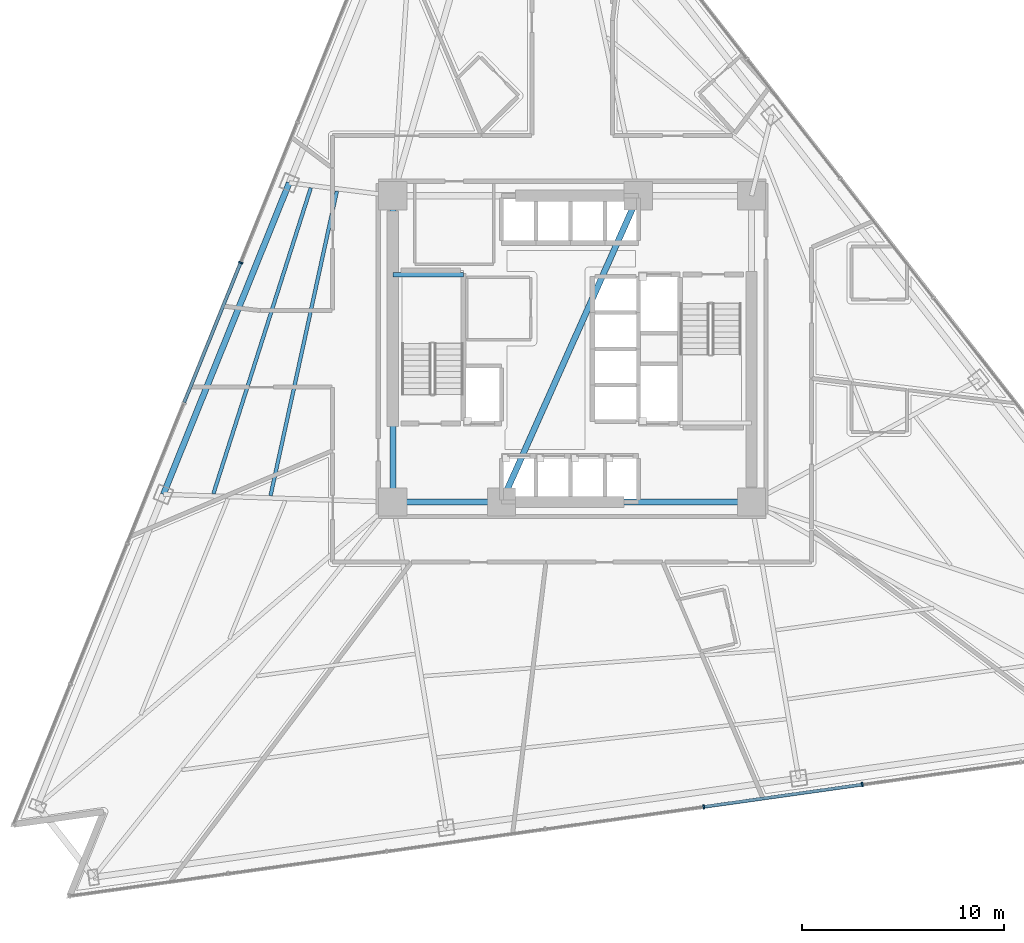
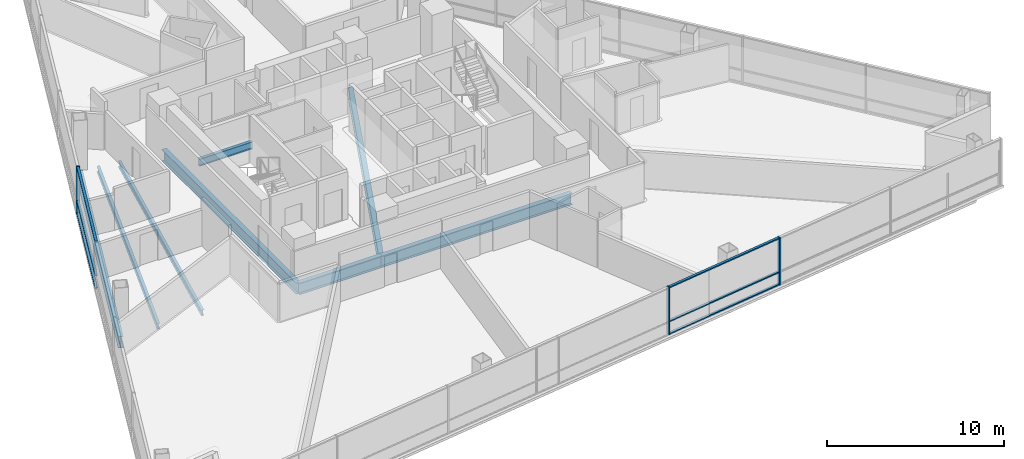
# One storey, part 3 of 15: 9 members, 8 beams, 2 elements without a shape of their own.
"""IFC4 building model written with IfcOpenShell, lengths in metres."""

from ifc_helpers import new_model, si_unit, direction, frame, origin, origin_2d, place, context, subcontext, project, spatial, rectangle, i_section, extrude, material, layer, layer_set, material_profile, profile_set, type_object, element, aggregate, save


model = new_model("IFC4")

# Units and contexts
model_context = context("Model", 3, precision=1e-05, world=origin(), true_north=direction((0.0, 1.0)))
body_context = subcontext(model_context, "Body", "Model", "MODEL_VIEW")
ifc_project = project(units=[si_unit("LENGTHUNIT", "METRE"), si_unit("AREAUNIT", "SQUARE_METRE"), si_unit("VOLUMEUNIT", "CUBIC_METRE"), si_unit("PLANEANGLEUNIT", "RADIAN"), si_unit("MASSUNIT", "GRAM", prefix="KILO")], contexts=[model_context])

# Site, building, storey
site_placement = place(None, origin())
site = spatial("IfcSite", under=ifc_project, at=site_placement, CompositionType="ELEMENT")
building_placement = place(site_placement, origin())
building = spatial("IfcBuilding", under=site, at=building_placement, Name="Tharavind Bronze Gate", CompositionType="ELEMENT")
storey_placement = place(building_placement, frame((0.0, 0.0, 74.199951171875)))
storey = spatial("IfcBuildingStorey", under=building, at=storey_placement, Name="L18", CompositionType="ELEMENT", Elevation=74.199951171875)

# Curtain wall, member
ifc_material_1 = material(Name="Anodised Bronze Aluminium", Category="aluminium")
ifc_layer = layer(ifc_material_1, 0.219970703125)
ifc_layer_set = layer_set([ifc_layer], Name="Anodised Bronze Aluminium")
curtain_wall_type = type_object("IfcCurtainWallType", Name="UNITISED CURTAIN WALL HOTEL", PredefinedType="USERDEFINED", material=ifc_layer_set)
curtain_wall_1_placement = place(storey_placement, origin())
curtain_wall_1 = element("IfcCurtainWall", 1, at=curtain_wall_1_placement, inside=storey, type_object=curtain_wall_type, Name="L18 unitised curtain wall hotel CW-L18-S1", ObjectType="UNITISED CURTAIN WALL", PredefinedType="USERDEFINED")
member_type_1 = type_object("IfcMemberType", Name="CURTAIN WALL MULLION 80X220", PredefinedType="MULLION", material=ifc_material_1)
member_1_placement = place(storey_placement, frame((-16.4462890625, 4.279541015625, 0.0), z_axis=(0.0, 0.0, 1.0), x_axis=(-0.374606593416, -0.927183854567, 0.0)))
member_1 = element("IfcMember", 2, at=member_1_placement, type_object=member_type_1, Name="CW-L18-S1 mullion 4", PredefinedType="MULLION", context=body_context, shape_type="SweptSolid", body=[
    extrude(rectangle(XDim=0.080078125, YDim=0.219970703125, at=origin_2d()), origin(), (0.0, 0.0, 1.0), 3.27490234375),
])

# Curtain wall, members
curtain_wall_2_placement = place(storey_placement, origin())
curtain_wall_2 = element("IfcCurtainWall", 3, at=curtain_wall_2_placement, inside=storey, type_object=curtain_wall_type, Name="L18 unitised curtain wall hotel CW-L18-S2", ObjectType="UNITISED CURTAIN WALL", PredefinedType="USERDEFINED")
member_2_placement = place(storey_placement, frame((6.52880859375, -22.7158203125, 0.0), z_axis=(0.0, 0.0, 1.0), x_axis=(0.990268068742, 0.13917310096, 0.0)))
member_2 = element("IfcMember", 4, at=member_2_placement, type_object=member_type_1, Name="CW-L18-S2 mullion 5", PredefinedType="MULLION", context=body_context, shape_type="SweptSolid", body=[
    extrude(rectangle(XDim=0.080078125, YDim=0.219970703125, at=origin_2d()), origin(), (0.0, 0.0, 1.0), 3.27490234375),
])
member_3_placement = place(storey_placement, frame((14.39501953125, -21.610107421875, 0.0), z_axis=(0.0, 0.0, 1.0), x_axis=(0.990268068742, 0.13917310096, 0.0)))
member_3 = element("IfcMember", 5, at=member_3_placement, type_object=member_type_1, Name="CW-L18-S2 mullion 6", PredefinedType="MULLION", context=body_context, shape_type="SweptSolid", body=[
    extrude(rectangle(XDim=0.080078125, YDim=0.219970703125, at=origin_2d()), origin(), (0.0, 0.0, 1.0), 3.27490234375),
])

# Member
member_type_2 = type_object("IfcMemberType", Name="CURTAIN WALL TRANSOM 80X160", PredefinedType="USERDEFINED", material=ifc_material_1)
member_4_placement = place(storey_placement, frame((-17.85400390625, 0.795654296875, 0.0), z_axis=(0.0, 0.0, 1.0), x_axis=(-0.374606593416, -0.927183854567, 0.0)))
member_4 = element("IfcMember", 6, at=member_4_placement, type_object=member_type_2, Name="CW-L18-S1 transom TB4", ObjectType="TRANSOM", PredefinedType="USERDEFINED", context=body_context, shape_type="SweptSolid", body=[
    extrude(rectangle(XDim=7.447021484375, YDim=0.159912109375, at=origin_2d()), origin(), (0.0, 0.0, 1.0), 0.080078125),
])

member_5_placement = place(storey_placement, frame((-17.85400390625, 0.795654296875, 0.860107421875), z_axis=(0.0, 0.0, 1.0), x_axis=(-0.374606593416, -0.927183854567, 0.0)))
member_5 = element("IfcMember", 7, at=member_5_placement, type_object=member_type_2, Name="CW-L18-S1 transom TS4", ObjectType="TRANSOM", PredefinedType="USERDEFINED", context=body_context, shape_type="SweptSolid", body=[
    extrude(rectangle(XDim=7.447021484375, YDim=0.159912109375, at=origin_2d()), origin(), (0.0, 0.0, 1.0), 0.080078125),
])

member_6_placement = place(storey_placement, frame((-17.85400390625, 0.795654296875, 3.195068359375), z_axis=(0.0, 0.0, 1.0), x_axis=(-0.374606593416, -0.927183854567, 0.0)))
member_6 = element("IfcMember", 8, at=member_6_placement, type_object=member_type_2, Name="CW-L18-S1 transom TT4", ObjectType="TRANSOM", PredefinedType="USERDEFINED", context=body_context, shape_type="SweptSolid", body=[
    extrude(rectangle(XDim=7.447021484375, YDim=0.159912109375, at=origin_2d()), origin(), (0.0, 0.0, 1.0), 0.080078125),
])

aggregate(curtain_wall_1, [member_1, member_4, member_5, member_6])

member_7_placement = place(storey_placement, frame((10.4619140625, -22.1630859375, 0.0), z_axis=(0.0, 0.0, 1.0), x_axis=(0.990268068742, 0.13917310096, 0.0)))
member_7 = element("IfcMember", 9, at=member_7_placement, type_object=member_type_2, Name="CW-L18-S2 transom TB5", ObjectType="TRANSOM", PredefinedType="USERDEFINED", context=body_context, shape_type="SweptSolid", body=[
    extrude(rectangle(XDim=7.87548828125, YDim=0.159912109375, at=origin_2d()), origin(), (0.0, 0.0, 1.0), 0.080078125),
])

member_8_placement = place(storey_placement, frame((10.4619140625, -22.1630859375, 0.860107421875), z_axis=(0.0, 0.0, 1.0), x_axis=(0.990268068742, 0.13917310096, 0.0)))
member_8 = element("IfcMember", 10, at=member_8_placement, type_object=member_type_2, Name="CW-L18-S2 transom TS5", ObjectType="TRANSOM", PredefinedType="USERDEFINED", context=body_context, shape_type="SweptSolid", body=[
    extrude(rectangle(XDim=7.87548828125, YDim=0.159912109375, at=origin_2d()), origin(), (0.0, 0.0, 1.0), 0.080078125),
])

member_9_placement = place(storey_placement, frame((10.4619140625, -22.1630859375, 3.195068359375), z_axis=(0.0, 0.0, 1.0), x_axis=(0.990268068742, 0.13917310096, 0.0)))
member_9 = element("IfcMember", 11, at=member_9_placement, type_object=member_type_2, Name="CW-L18-S2 transom TT5", ObjectType="TRANSOM", PredefinedType="USERDEFINED", context=body_context, shape_type="SweptSolid", body=[
    extrude(rectangle(XDim=7.87548828125, YDim=0.159912109375, at=origin_2d()), origin(), (0.0, 0.0, 1.0), 0.080078125),
])

aggregate(curtain_wall_2, [member_2, member_3, member_7, member_8, member_9])

# Beams
ifc_material_2 = material(Name="Steel S355", Category="steel")
ifc_material_profile_1 = material_profile(ifc_material_2, i_section(OverallWidth=0.199951171875, OverallDepth=0.5, WebThickness=0.01025390625, FlangeThickness=0.01611328125, at=origin_2d()), Name="IPE500")
ifc_profile_set_1 = profile_set([ifc_material_profile_1], Name="Steel S355")
beam_type_1 = type_object("IfcBeamType", Name="PRIMARY GIRDER IPE500", PredefinedType="USERDEFINED", material=ifc_profile_set_1)
beam_1_placement = place(storey_placement, frame((-8.89990234375, 3.679931640625, 1.275146484375), z_axis=(1.0, 0.0, 0.0), x_axis=(0.0, 1.0, 0.0)))
element("IfcBeam", 12, at=beam_1_placement, inside=storey, type_object=beam_type_1, Name="L18 primary girder ipe500 BM-LD-ST1-L18-1", ObjectType="GIRDER", PredefinedType="USERDEFINED", context=body_context, shape_type="SweptSolid", body=[
    extrude(i_section(OverallWidth=0.199951171875, OverallDepth=0.5, WebThickness=0.01025390625, FlangeThickness=0.01611328125, at=origin_2d()), origin(), (0.0, 0.0, 1.0), 3.5),
])
ifc_material_profile_2 = material_profile(ifc_material_2, i_section(OverallWidth=0.300048828125, OverallDepth=0.800048828125, WebThickness=0.017578125, FlangeThickness=0.032958984375, at=origin_2d()), Name="HE800B")
ifc_profile_set_2 = profile_set([ifc_material_profile_2], Name="Steel S355")
beam_type_2 = type_object("IfcBeamType", Name="RING GIRDER HE800B", PredefinedType="USERDEFINED", material=ifc_profile_set_2)
beam_2_placement = place(storey_placement, frame((-8.89990234375, -7.60009765625, -0.574951171875), z_axis=(1.0, 0.0, 0.0), x_axis=(0.0, 1.0, 0.0)))
element("IfcBeam", 13, at=beam_2_placement, inside=storey, type_object=beam_type_2, Name="L18 ring girder he800b BM-L18-CR1", ObjectType="GIRDER", PredefinedType="USERDEFINED", context=body_context, shape_type="SweptSolid", body=[
    extrude(i_section(OverallWidth=0.300048828125, OverallDepth=0.800048828125, WebThickness=0.017578125, FlangeThickness=0.032958984375, at=origin_2d()), origin(), (0.0, 0.0, 1.0), 5.39990234375),
])
beam_3_placement = place(storey_placement, frame((-3.5, -7.60009765625, -0.574951171875), z_axis=(1.0, 0.0, 0.0), x_axis=(0.0, 1.0, 0.0)))
element("IfcBeam", 14, at=beam_3_placement, inside=storey, type_object=beam_type_2, Name="L18 ring girder he800b BM-L18-CR2", ObjectType="GIRDER", PredefinedType="USERDEFINED", context=body_context, shape_type="SweptSolid", body=[
    extrude(i_section(OverallWidth=0.300048828125, OverallDepth=0.800048828125, WebThickness=0.017578125, FlangeThickness=0.032958984375, at=origin_2d()), origin(), (0.0, 0.0, 1.0), 12.39990234375),
])
beam_4_placement = place(storey_placement, frame((-8.89990234375, 7.60009765625, -0.574951171875), z_axis=(0.0, -1.0, 0.0), x_axis=(1.0, 0.0, 0.0)))
element("IfcBeam", 15, at=beam_4_placement, inside=storey, type_object=beam_type_2, Name="L18 ring girder he800b BM-L18-CR6", ObjectType="GIRDER", PredefinedType="USERDEFINED", context=body_context, shape_type="SweptSolid", body=[
    extrude(i_section(OverallWidth=0.300048828125, OverallDepth=0.800048828125, WebThickness=0.017578125, FlangeThickness=0.032958984375, at=origin_2d()), origin(), (0.0, 0.0, 1.0), 15.2001953125),
])
beam_5_placement = place(storey_placement, frame((-3.5, -7.60009765625, -0.574951171875), z_axis=(0.407361644566, 0.913266932795, 0.0), x_axis=(-0.913266932795, 0.407361644566, 0.0)))
element("IfcBeam", 16, at=beam_5_placement, inside=storey, type_object=beam_type_2, Name="L18 ring girder he800b BM-L18-CR7", ObjectType="GIRDER", PredefinedType="USERDEFINED", context=body_context, shape_type="SweptSolid", body=[
    extrude(i_section(OverallWidth=0.300048828125, OverallDepth=0.800048828125, WebThickness=0.017578125, FlangeThickness=0.032958984375, at=origin_2d()), origin(), (0.0, 0.0, 1.0), 16.643798828125),
])
beam_6_placement = place(storey_placement, frame((-14.036376953125, 8.2421875, -0.574951171875), z_axis=(-0.374613188644, -0.927181189894, 0.0), x_axis=(0.927181189894, -0.374613188644, 0.0)))
element("IfcBeam", 17, at=beam_6_placement, inside=storey, type_object=beam_type_2, Name="L18 ring girder he800b BM-L18-PRG02", ObjectType="GIRDER", PredefinedType="USERDEFINED", context=body_context, shape_type="SweptSolid", body=[
    extrude(i_section(OverallWidth=0.300048828125, OverallDepth=0.800048828125, WebThickness=0.017578125, FlangeThickness=0.032958984375, at=origin_2d()), origin(), (0.0, 0.0, 1.0), 16.6689453125),
])
ifc_material_profile_3 = material_profile(ifc_material_2, i_section(OverallWidth=0.179931640625, OverallDepth=0.39990234375, WebThickness=0.008544921875, FlangeThickness=0.013427734375, at=origin_2d()), Name="IPE400")
ifc_profile_set_3 = profile_set([ifc_material_profile_3], Name="Steel S355")
beam_type_3 = type_object("IfcBeamType", Name="SECONDARY FLOOR JOIST IPE400", PredefinedType="JOIST", material=ifc_profile_set_3)
beam_7_placement = place(storey_placement, frame((-11.67236328125, 7.831787109375, -0.375), z_axis=(-0.212838572198, -0.977087376945, 0.0), x_axis=(0.977087376945, -0.212838572198, 0.0)))
element("IfcBeam", 18, at=beam_7_placement, inside=storey, type_object=beam_type_3, Name="L18 secondary floor joist ipe400 BM-L18-JSTA02", PredefinedType="JOIST", context=body_context, shape_type="SweptSolid", body=[
    extrude(i_section(OverallWidth=0.179931640625, OverallDepth=0.39990234375, WebThickness=0.008544921875, FlangeThickness=0.013427734375, at=origin_2d()), origin(), (0.0, 0.0, 1.0), 15.4658203125),
])
beam_8_placement = place(storey_placement, frame((-12.967041015625, 7.993896484375, -0.375), z_axis=(-0.303309311807, -0.952892156212, 0.0), x_axis=(0.952892156212, -0.303309311807, 0.0)))
element("IfcBeam", 19, at=beam_8_placement, inside=storey, type_object=beam_type_3, Name="L18 secondary floor joist ipe400 BM-L18-JSTB02", PredefinedType="JOIST", context=body_context, shape_type="SweptSolid", body=[
    extrude(i_section(OverallWidth=0.179931640625, OverallDepth=0.39990234375, WebThickness=0.008544921875, FlangeThickness=0.013427734375, at=origin_2d()), origin(), (0.0, 0.0, 1.0), 15.927734375),
])

save(model, "model.ifc")
